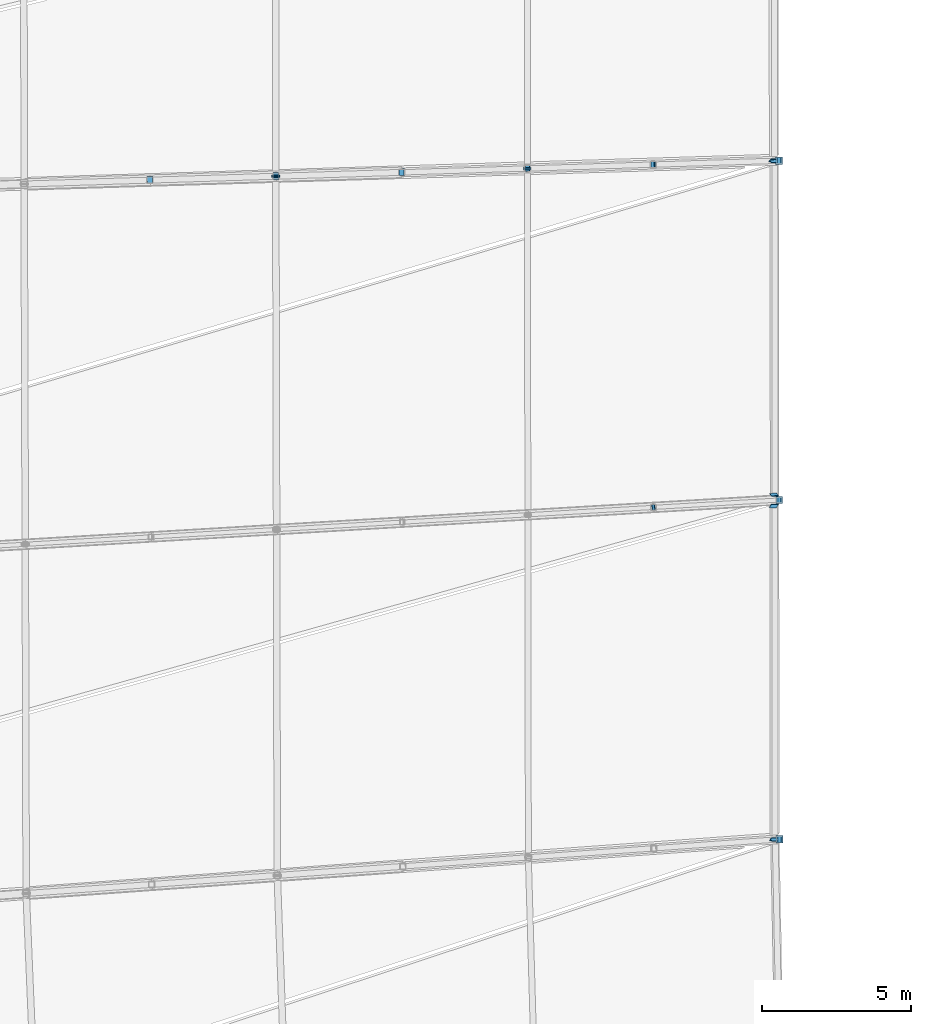
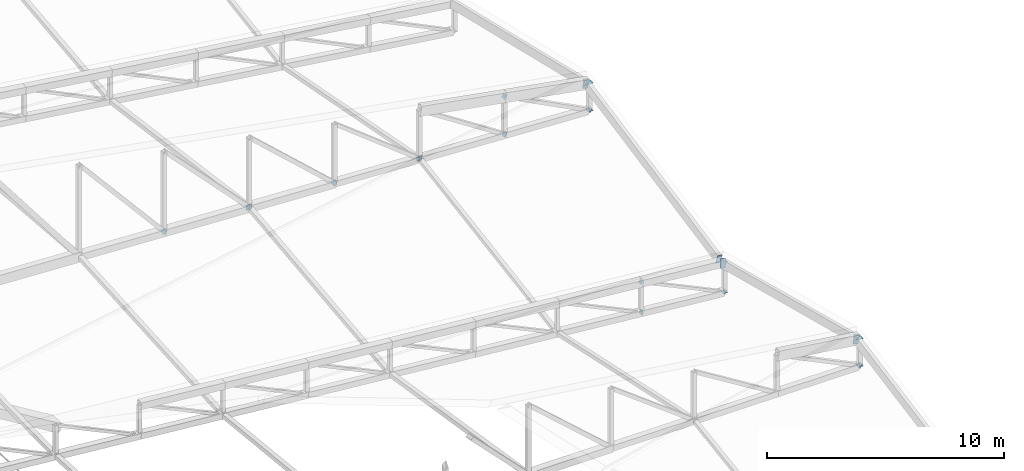
# One storey, part 291 of 344: 27 discrete accessories.
"""IFC4 building model written with IfcOpenShell, lengths in metres."""

from ifc_helpers import new_model, si_unit, direction, frame, origin, origin_2d, place, context, subcontext, project, spatial, rectangle, extrude, material, material_profile, profile_set, type_object, element, save


model = new_model("IFC4")

# Units and contexts
model_context = context("Model", 3, precision=1e-05, world=origin(), true_north=direction((0.0, 1.0)))
body_context = subcontext(model_context, "Body", "Model", "MODEL_VIEW")
ifc_project = project(units=[si_unit("LENGTHUNIT", "METRE"), si_unit("AREAUNIT", "SQUARE_METRE"), si_unit("VOLUMEUNIT", "CUBIC_METRE"), si_unit("PLANEANGLEUNIT", "RADIAN"), si_unit("MASSUNIT", "GRAM", prefix="KILO")], contexts=[model_context])

# Site, building, storey
site_placement = place(None, origin())
site = spatial("IfcSite", under=ifc_project, at=site_placement, CompositionType="ELEMENT")
building_placement = place(site_placement, origin())
building = spatial("IfcBuilding", under=site, at=building_placement, Name="Meseta Stadium", CompositionType="ELEMENT")
storey_placement = place(building_placement, frame((0.0, 0.0, 24.0)))
storey = spatial("IfcBuildingStorey", under=building, at=storey_placement, Name="L04", CompositionType="ELEMENT", Elevation=24.0)

# Discrete accessories
ifc_material_1 = material(Name="Steel S355", Category="steel")
ifc_material_profile_1 = material_profile(ifc_material_1, rectangle(XDim=0.179931640625, YDim=0.179931640625, at=origin_2d()), Name="PL 180x180")
ifc_profile_set_1 = profile_set([ifc_material_profile_1], Name="Steel S355")
discrete_accessory_type_1 = type_object("IfcDiscreteAccessoryType", Name="End plate 180x180x20", PredefinedType="ANCHORPLATE", material=ifc_profile_set_1)
discrete_accessory_1_placement = place(storey_placement, frame((-46.97314453125, -28.452392578125, 1.63525390625), z_axis=(-0.890906631558, -0.048816801729, 0.451555415995), x_axis=(0.054712446702, -0.998502152314, 0.0)))
element("IfcDiscreteAccessory", 1, at=discrete_accessory_1_placement, inside=storey, type_object=discrete_accessory_type_1, Name="End plate of ROOF TRUSS RT-35 diagonal", PredefinedType="ANCHORPLATE", context=body_context, shape_type="SweptSolid", body=[
    extrude(rectangle(XDim=0.179931640625, YDim=0.179931640625, at=origin_2d()), origin(), (0.0, 0.0, 1.0), 0.02001953125),
])
discrete_accessory_2_placement = place(storey_placement, frame((-51.205810546875, -28.700927734375, 3.771728515625), z_axis=(-0.892798292924, -0.060324208981, 0.446399146462), x_axis=(0.067413857992, -0.997725098286, 0.0)))
element("IfcDiscreteAccessory", 2, at=discrete_accessory_2_placement, inside=storey, type_object=discrete_accessory_type_1, Name="End plate of ROOF TRUSS RT-35 diagonal", PredefinedType="ANCHORPLATE", context=body_context, shape_type="SweptSolid", body=[
    extrude(rectangle(XDim=0.179931640625, YDim=0.179931640625, at=origin_2d()), origin(), (0.0, 0.0, 1.0), 0.020263671875),
])
discrete_accessory_3_placement = place(storey_placement, frame((-51.18798828125, -28.699951171875, 2.208251953125), z_axis=(-0.895789814442, -0.049084373394, 0.441759360547), x_axis=(0.054712446702, -0.998502152314, 0.0)))
element("IfcDiscreteAccessory", 3, at=discrete_accessory_3_placement, inside=storey, type_object=discrete_accessory_type_1, Name="End plate of ROOF TRUSS RT-35 diagonal", PredefinedType="ANCHORPLATE", context=body_context, shape_type="SweptSolid", body=[
    extrude(rectangle(XDim=0.179931640625, YDim=0.179931640625, at=origin_2d()), origin(), (0.0, 0.0, 1.0), 0.019775390625),
])
ifc_material_2 = material(Name="Steel S355", Category="steel")
ifc_material_profile_2 = material_profile(ifc_material_2, rectangle(XDim=0.219970703125, YDim=0.219970703125, at=origin_2d()), Name="PL 220x220")
ifc_profile_set_2 = profile_set([ifc_material_profile_2], Name="Steel S355")
discrete_accessory_type_2 = type_object("IfcDiscreteAccessoryType", Name="End plate 220x220x20", PredefinedType="ANCHORPLATE", material=ifc_profile_set_2)
discrete_accessory_4_placement = place(storey_placement, frame((-46.97900390625, -17.07177734375, 4.10302734375), z_axis=(-0.881760845413, -0.024157831381, 0.471077711933), x_axis=(0.027386983732, -0.999624906213, 0.0)))
element("IfcDiscreteAccessory", 4, at=discrete_accessory_4_placement, inside=storey, type_object=discrete_accessory_type_2, Name="End plate of ROOF TRUSS RT-34 diagonal", PredefinedType="ANCHORPLATE", context=body_context, shape_type="SweptSolid", body=[
    extrude(rectangle(XDim=0.219970703125, YDim=0.219970703125, at=origin_2d()), origin(), (0.0, 0.0, 1.0), 0.020263671875),
])
discrete_accessory_5_placement = place(storey_placement, frame((-51.217041015625, -17.202392578125, 6.364990234375), z_axis=(-0.884118010343, -0.024558833621, 0.466617838792), x_axis=(0.02776706724, -0.999614420653, 0.0)))
element("IfcDiscreteAccessory", 5, at=discrete_accessory_5_placement, inside=storey, type_object=discrete_accessory_type_2, Name="End plate of ROOF TRUSS RT-34 diagonal", PredefinedType="ANCHORPLATE", context=body_context, shape_type="SweptSolid", body=[
    extrude(rectangle(XDim=0.219970703125, YDim=0.219970703125, at=origin_2d()), origin(), (0.0, 0.0, 1.0), 0.019775390625),
])
discrete_accessory_6_placement = place(storey_placement, frame((-51.2001953125, -17.201904296875, 4.40576171875), z_axis=(-0.837363841613, -0.024271415699, 0.546106853226), x_axis=(0.028973338687, -0.9995801847, 0.0)))
element("IfcDiscreteAccessory", 6, at=discrete_accessory_6_placement, inside=storey, type_object=discrete_accessory_type_2, Name="End plate of ROOF TRUSS RT-34 diagonal", PredefinedType="ANCHORPLATE", context=body_context, shape_type="SweptSolid", body=[
    extrude(rectangle(XDim=0.219970703125, YDim=0.219970703125, at=origin_2d()), origin(), (0.0, 0.0, 1.0), 0.02001953125),
])
discrete_accessory_7_placement = place(storey_placement, frame((-55.42138671875, -17.33203125, 4.70849609375), z_axis=(-0.786507747139, -0.024200238374, 0.617106078525), x_axis=(0.030754675787, -0.999526963077, 0.0)))
element("IfcDiscreteAccessory", 7, at=discrete_accessory_7_placement, inside=storey, type_object=discrete_accessory_type_2, Name="End plate of ROOF TRUSS RT-34 diagonal", PredefinedType="ANCHORPLATE", context=body_context, shape_type="SweptSolid", body=[
    extrude(rectangle(XDim=0.219970703125, YDim=0.219970703125, at=origin_2d()), origin(), (0.0, 0.0, 1.0), 0.020263671875),
])
for number, where, z_axis, x_axis, name in (
    (8, (-46.990966796875, -28.453369140625, 1.624267578125), (0.0, 0.0, 1.0), (1.0, 0.0, 0.0), "End plate of ROOF TRUSS RT-35 post"),
    (9, (-46.990966796875, -28.453369140625, 3.198974609375), (0.0, 0.0, 1.0), (1.0, 0.0, 0.0), "End plate of ROOF TRUSS RT-35 post"),
    (10, (-46.964599609375, -39.8330078125, 4.746826171875), (-0.88538524467, -0.060642824977, 0.460885469828), (0.068333052409, -0.997662565173, 0.0), "End plate of ROOF TRUSS RT-36 diagonal"),
):
    element("IfcDiscreteAccessory", number, at=place(storey_placement, frame(where, z_axis=z_axis, x_axis=x_axis)), inside=storey, type_object=discrete_accessory_type_2, Name=name, PredefinedType="ANCHORPLATE", context=body_context, shape_type="SweptSolid", body=[
        extrude(rectangle(XDim=0.219970703125, YDim=0.219970703125, at=origin_2d()), origin(), (0.0, 0.0, 1.0), 0.02001953125),
    ])
ifc_material_3 = material(Name="Steel S355", Category="steel")
ifc_material_profile_3 = material_profile(ifc_material_3, rectangle(XDim=0.239990234375, YDim=0.239990234375, at=origin_2d()), Name="PL 240x240")
ifc_profile_set_3 = profile_set([ifc_material_profile_3], Name="Steel S355")
discrete_accessory_type_3 = type_object("IfcDiscreteAccessoryType", Name="End plate 240x240x20", PredefinedType="ANCHORPLATE", material=ifc_profile_set_3)
for number, where, z_axis, x_axis, name in (
    (11, (-46.996826171875, -17.072265625, 4.092529296875), (0.0, 0.0, 1.0), (1.0, 0.0, 0.0), "End plate of ROOF TRUSS RT-34 post"),
    (12, (-46.996826171875, -17.072265625, 5.512451171875), (0.0, 0.0, 1.0), (1.0, 0.0, 0.0), "End plate of ROOF TRUSS RT-34 post"),
):
    element("IfcDiscreteAccessory", number, at=place(storey_placement, frame(where, z_axis=z_axis, x_axis=x_axis)), inside=storey, type_object=discrete_accessory_type_3, Name=name, PredefinedType="ANCHORPLATE", context=body_context, shape_type="SweptSolid", body=[
        extrude(rectangle(XDim=0.239990234375, YDim=0.239990234375, at=origin_2d()), origin(), (0.0, 0.0, 1.0), 0.02001953125),
    ])
discrete_accessory_8_placement = place(storey_placement, frame((-59.642578125, -17.462158203125, 5.01171875), z_axis=(-0.73643789056, -0.024145504609, 0.676074129038), x_axis=(0.032769276821, -0.999462943033, 0.0)))
element("IfcDiscreteAccessory", 13, at=discrete_accessory_8_placement, inside=storey, type_object=discrete_accessory_type_3, Name="End plate of ROOF TRUSS RT-34 diagonal", PredefinedType="ANCHORPLATE", context=body_context, shape_type="SweptSolid", body=[
    extrude(rectangle(XDim=0.239990234375, YDim=0.239990234375, at=origin_2d()), origin(), (0.0, 0.0, 1.0), 0.020263671875),
])
for number, where, z_axis, x_axis, name in (
    (14, (-63.86376953125, -17.592529296875, 5.315185546875), (-0.694760406175, -0.012188779056, 0.719137964286), (0.017541160386, -0.99984614201, 0.0), "End plate of ROOF TRUSS RT-34 diagonal"),
    (15, (-68.0849609375, -17.72265625, 5.61865234375), (-0.649732321013, -0.012259100396, 0.760064224581), (0.018864566948, -0.999822048224, 0.0), "End plate of ROOF TRUSS RT-34 diagonal"),
    (16, (-46.982421875, -39.834228515625, 4.736083984375), (0.0, 0.0, 1.0), (1.0, 0.0, 0.0), "End plate of ROOF TRUSS RT-36 post"),
    (17, (-46.982421875, -39.834228515625, 6.156005859375), (0.0, 0.0, 1.0), (1.0, 0.0, 0.0), "End plate of ROOF TRUSS RT-36 post"),
):
    element("IfcDiscreteAccessory", number, at=place(storey_placement, frame(where, z_axis=z_axis, x_axis=x_axis)), inside=storey, type_object=discrete_accessory_type_3, Name=name, PredefinedType="ANCHORPLATE", context=body_context, shape_type="SweptSolid", body=[
        extrude(rectangle(XDim=0.239990234375, YDim=0.239990234375, at=origin_2d()), origin(), (0.0, 0.0, 1.0), 0.02001953125),
    ])
discrete_accessory_9_placement = place(storey_placement, frame((-55.437255859375, -17.33251953125, 4.720947265625), z_axis=(0.0, -0.981043742203, 0.193786418213), x_axis=(1.0, 0.0, 0.0)))
element("IfcDiscreteAccessory", 18, at=discrete_accessory_9_placement, inside=storey, type_object=discrete_accessory_type_3, Name="End plate of ROOF TRUSS STRUT RT-33/34", PredefinedType="ANCHORPLATE", context=body_context, shape_type="SweptSolid", body=[
    extrude(rectangle(XDim=0.239990234375, YDim=0.239990234375, at=origin_2d()), origin(), (0.0, 0.0, 1.0), 0.020263671875),
])
discrete_accessory_10_placement = place(storey_placement, frame((-55.437255859375, -17.312744140625, 4.724365234375), z_axis=(0.0, -0.985389793052, -0.170314285219), x_axis=(1.0, 0.0, 0.0)))
element("IfcDiscreteAccessory", 19, at=discrete_accessory_10_placement, inside=storey, type_object=discrete_accessory_type_3, Name="End plate of ROOF TRUSS STRUT RT-34/35", PredefinedType="ANCHORPLATE", context=body_context, shape_type="SweptSolid", body=[
    extrude(rectangle(XDim=0.239990234375, YDim=0.239990234375, at=origin_2d()), origin(), (0.0, 0.0, 1.0), 0.02001953125),
])
ifc_material_4 = material(Name="Steel S355", Category="steel")
ifc_material_profile_4 = material_profile(ifc_material_4, rectangle(XDim=0.239990234375, YDim=0.43994140625, at=origin_2d()), Name="PL 240x440")
ifc_profile_set_4 = profile_set([ifc_material_profile_4], Name="Steel S355")
discrete_accessory_type_4 = type_object("IfcDiscreteAccessoryType", Name="End plate 240x440x20", PredefinedType="ANCHORPLATE", material=ifc_profile_set_4)
discrete_accessory_11_placement = place(storey_placement, frame((-47.18798828125, -17.0556640625, 5.521240234375), z_axis=(0.0, -0.97293655072, 0.231072430796), x_axis=(0.982543306353, -0.042987329824, -0.180999283469)))
element("IfcDiscreteAccessory", 20, at=discrete_accessory_11_placement, inside=storey, type_object=discrete_accessory_type_4, Name="End plate of TIP RING BEAM 34", PredefinedType="ANCHORPLATE", context=body_context, shape_type="SweptSolid", body=[
    extrude(rectangle(XDim=0.239990234375, YDim=0.43994140625, at=origin_2d()), origin(), (0.0, 0.0, 1.0), 0.02001953125),
])
for number, where, z_axis, x_axis, name in (
    (21, (-47.167236328125, -17.085693359375, 5.5185546875), (0.0, -0.978677791195, -0.205401511732), (0.989692059385, 0.029415925906, -0.140158235198), "End plate of TIP RING BEAM 35"),
    (22, (-47.16162109375, -28.26806640625, 3.2763671875), (0.0, -0.981043742203, -0.193786418213), (0.989692059385, 0.027752507134, -0.140497067366), "End plate of TIP RING BEAM 35"),
):
    element("IfcDiscreteAccessory", number, at=place(storey_placement, frame(where, z_axis=z_axis, x_axis=x_axis)), inside=storey, type_object=discrete_accessory_type_4, Name=name, PredefinedType="ANCHORPLATE", context=body_context, shape_type="SweptSolid", body=[
        extrude(rectangle(XDim=0.239990234375, YDim=0.43994140625, at=origin_2d()), origin(), (0.0, 0.0, 1.0), 0.020263671875),
    ])
discrete_accessory_12_placement = place(storey_placement, frame((-47.171630859375, -28.64013671875, 3.284912109375), z_axis=(0.012232473101, -0.966365375004, 0.256881935128), x_axis=(0.986911025278, -0.02964502126, -0.158517509755)))
element("IfcDiscreteAccessory", 23, at=discrete_accessory_12_placement, inside=storey, type_object=discrete_accessory_type_4, Name="End plate of TIP RING BEAM 36", PredefinedType="ANCHORPLATE", context=body_context, shape_type="SweptSolid", body=[
    extrude(rectangle(XDim=0.239990234375, YDim=0.43994140625, at=origin_2d()), origin(), (0.0, 0.0, 1.0), 0.02001953125),
])
discrete_accessory_13_placement = place(storey_placement, frame((-47.1630859375, -39.827392578125, 6.164794921875), z_axis=(0.0, -0.969416374533, 0.24542186697), x_axis=(0.986456744667, -0.040254491511, -0.159005241469)))
element("IfcDiscreteAccessory", 24, at=discrete_accessory_13_placement, inside=storey, type_object=discrete_accessory_type_4, Name="End plate of TIP RING BEAM 36", PredefinedType="ANCHORPLATE", context=body_context, shape_type="SweptSolid", body=[
    extrude(rectangle(XDim=0.239990234375, YDim=0.43994140625, at=origin_2d()), origin(), (0.0, 0.0, 1.0), 0.019775390625),
])
discrete_accessory_14_placement = place(storey_placement, frame((-47.150390625, -39.840576171875, 6.1650390625), z_axis=(0.024446662853, -0.977866514136, -0.207796634254), x_axis=(0.989394763994, 0.053436197021, -0.135065072572)))
element("IfcDiscreteAccessory", 25, at=discrete_accessory_14_placement, inside=storey, type_object=discrete_accessory_type_4, Name="End plate of TIP RING BEAM 37", PredefinedType="ANCHORPLATE", context=body_context, shape_type="SweptSolid", body=[
    extrude(rectangle(XDim=0.239990234375, YDim=0.43994140625, at=origin_2d()), origin(), (0.0, 0.0, 1.0), 0.02001953125),
])
ifc_material_5 = material(Name="Steel S355", Category="steel")
ifc_material_profile_5 = material_profile(ifc_material_5, rectangle(XDim=0.260009765625, YDim=0.260009765625, at=origin_2d()), Name="PL 260x260")
ifc_profile_set_5 = profile_set([ifc_material_profile_5], Name="Steel S355")
discrete_accessory_type_5 = type_object("IfcDiscreteAccessoryType", Name="End plate 260x260x20", PredefinedType="ANCHORPLATE", material=ifc_profile_set_5)
discrete_accessory_15_placement = place(storey_placement, frame((-63.877685546875, -17.5927734375, 5.32958984375), z_axis=(0.0, -0.990904460181, 0.13456727237), x_axis=(1.0, 0.0, 0.0)))
element("IfcDiscreteAccessory", 26, at=discrete_accessory_15_placement, inside=storey, type_object=discrete_accessory_type_5, Name="End plate of ROOF TRUSS STRUT RT-33/34", PredefinedType="ANCHORPLATE", context=body_context, shape_type="SweptSolid", body=[
    extrude(rectangle(XDim=0.260009765625, YDim=0.260009765625, at=origin_2d()), origin(), (0.0, 0.0, 1.0), 0.02001953125),
])
discrete_accessory_16_placement = place(storey_placement, frame((-63.877685546875, -17.572998046875, 5.331787109375), z_axis=(0.0, -0.993883734674, -0.110431526075), x_axis=(1.0, 0.0, 0.0)))
element("IfcDiscreteAccessory", 27, at=discrete_accessory_16_placement, inside=storey, type_object=discrete_accessory_type_5, Name="End plate of ROOF TRUSS STRUT RT-34/35", PredefinedType="ANCHORPLATE", context=body_context, shape_type="SweptSolid", body=[
    extrude(rectangle(XDim=0.260009765625, YDim=0.260009765625, at=origin_2d()), origin(), (0.0, 0.0, 1.0), 0.019775390625),
])

save(model, "model.ifc")
